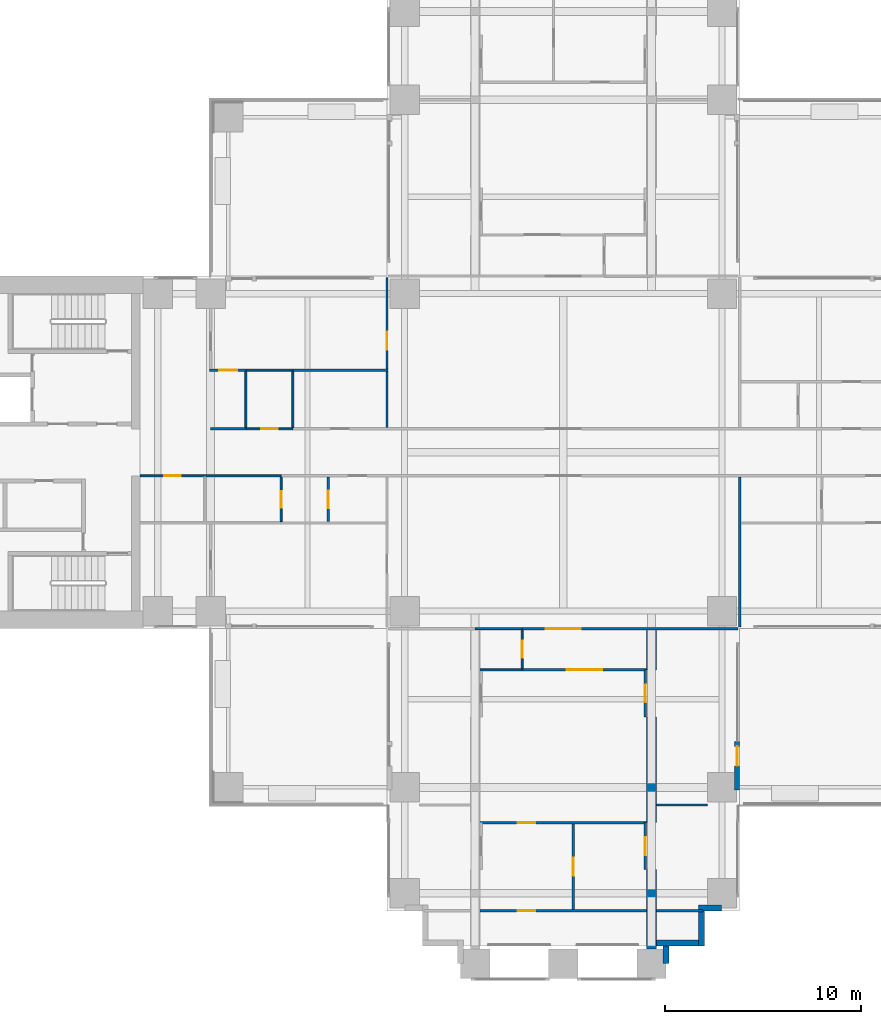
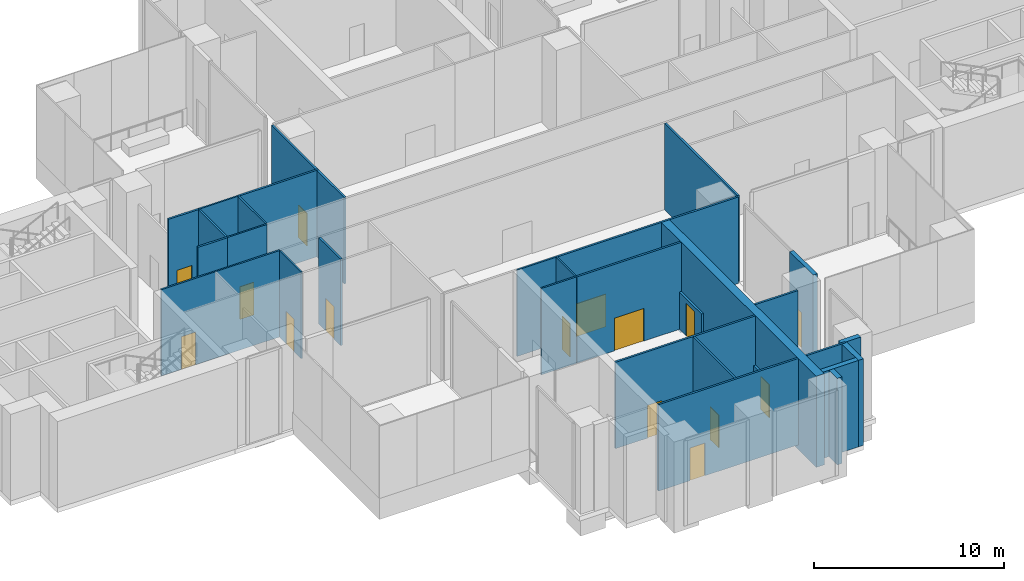
# One storey, part 9 of 17: 30 walls, 15 doors, 15 openings.
"""IFC4 building model written with IfcOpenShell, lengths in metres."""

from ifc_helpers import new_model, si_unit, direction, frame, frame_2d, origin, place, context, subcontext, project, spatial, polyline, rectangle, outline, extrude, material, layer, layer_set, material_profile, profile_set, type_object, element, fill, save


model = new_model("IFC4")

# Units and contexts
model_context = context("Model", 3, precision=1e-05, world=origin(), true_north=direction((0.0, 1.0)))
body_context = subcontext(model_context, "Body", "Model", "MODEL_VIEW")
ifc_project = project(units=[si_unit("LENGTHUNIT", "METRE"), si_unit("AREAUNIT", "SQUARE_METRE"), si_unit("VOLUMEUNIT", "CUBIC_METRE"), si_unit("PLANEANGLEUNIT", "RADIAN"), si_unit("MASSUNIT", "GRAM", prefix="KILO")], contexts=[model_context])

# Site, building, storey
site_placement = place(None, origin())
site = spatial("IfcSite", under=ifc_project, at=site_placement, CompositionType="ELEMENT")
building_placement = place(site_placement, origin())
building = spatial("IfcBuilding", under=site, at=building_placement, Name="Perihelion Cross Residences", CompositionType="ELEMENT")
storey_placement = place(building_placement, frame((0.0, 0.0, 21.0)))
storey = spatial("IfcBuildingStorey", under=building, at=storey_placement, Name="L02", CompositionType="ELEMENT", Elevation=21.0)

# Wall, opening, door
ifc_material_1 = material(Name="Concrete C30/37, bronze-clad", Category="concrete")
ifc_layer_1 = layer(ifc_material_1, 0.25)
ifc_layer_set_1 = layer_set([ifc_layer_1], Name="Bronze-clad pier wall 250")
wall_type_1 = type_object("IfcWallType", Name="Bronze-clad pier wall 250", PredefinedType="SOLIDWALL", material=ifc_layer_set_1)
wall_1_placement = place(storey_placement, frame((8.875, -17.22998046875, 0.0), z_axis=(0.0, 0.0, 1.0), x_axis=(0.0, 1.0, 0.0)))
wall_1 = element("IfcWall", 1, at=wall_1_placement, inside=storey, type_object=wall_type_1, Name="Wall FW1 L02 south side east bay 2 pier", PredefinedType="SOLIDWALL", context=body_context, shape_type="SweptSolid", body=[
    extrude(rectangle(XDim=2.47998046875, YDim=0.25, at=frame_2d((1.239990234375, 0.0))), origin(), (0.0, 0.0, 1.0), 5.550048828125),
])
opening_1_placement = place(wall_1_placement, frame((1.22998046875, 0.0, 0.0)))
opening_1 = element("IfcOpeningElement", 2, at=opening_1_placement, cuts=wall_1, Name="Opening L02.E07", PredefinedType="OPENING", context=body_context, shape_type="SweptSolid", body=[
    extrude(rectangle(XDim=1.0, YDim=2.39990234375, at=frame_2d((0.5, 1.199951171875))), frame((0.0, 0.135009765625, 0.0), z_axis=(0.0, -1.0, 0.0), x_axis=(1.0, 0.0, 0.0)), (0.0, 0.0, 1.0), 0.27001953125),
])
ifc_material_2 = material(Name="Bronze anodised aluminium, glazed", Category="aluminium")
door_type_1 = type_object("IfcDoorType", Name="Balcony door 1000 x 2400", OperationType="NOTDEFINED", PredefinedType="DOOR", material=ifc_material_2)
door_1_placement = place(opening_1_placement, origin())
door_1 = element("IfcDoor", 3, at=door_1_placement, inside=storey, type_object=door_type_1, Name="Door L02.E07 south side east bay 2", OperationType="SINGLE_SWING_RIGHT", OverallHeight=2.39990234375, OverallWidth=1.0, PredefinedType="DOOR", context=body_context, shape_type="SweptSolid", body=[
    extrude(rectangle(XDim=1.0, YDim=2.39990234375, at=frame_2d((0.5, 1.199951171875))), frame((0.0, 0.02490234375, 0.0), z_axis=(0.0, -1.0, 0.0), x_axis=(1.0, 0.0, 0.0)), (0.0, 0.0, 1.0), 0.050048828125),
])
fill(opening_1, door_1)

# Walls
ifc_material_3 = material(Name="Concrete C30/37, bronze-clad", Category="concrete")
ifc_layer_2 = layer(ifc_material_3, 0.300048828125)
ifc_layer_set_2 = layer_set([ifc_layer_2], Name="Bronze-clad serration wall 300")
wall_type_2 = type_object("IfcWallType", Name="Bronze-clad serration wall 300", PredefinedType="SOLIDWALL", material=ifc_layer_set_2)
wall_2_placement = place(storey_placement, frame((5.25, -26.080078125, 0.0), z_axis=(0.0, 0.0, 1.0), x_axis=(0.0, 1.0, 0.0)))
element("IfcWall", 4, at=wall_2_placement, inside=storey, type_object=wall_type_2, Name="Wall SR1 L02 south corner south-east 1", PredefinedType="SOLIDWALL", context=body_context, shape_type="SweptSolid", body=[
    extrude(rectangle(XDim=0.880126953125, YDim=0.300048828125, at=frame_2d((0.43994140625, 0.0))), origin(), (0.0, 0.0, 1.0), 5.550048828125),
])
wall_3_placement = place(storey_placement, frame((4.75, -25.050048828125, 0.0), z_axis=(0.0, 0.0, 1.0), x_axis=(1.0, 0.0, 0.0)))
element("IfcWall", 5, at=wall_3_placement, inside=storey, type_object=wall_type_2, Name="Wall SR1 L02 south corner south-east 2", PredefinedType="SOLIDWALL", context=body_context, shape_type="SweptSolid", body=[
    extrude(rectangle(XDim=2.14990234375, YDim=0.300048828125, at=frame_2d((1.074951171875, 0.0))), origin(), (0.0, 0.0, 1.0), 5.550048828125),
])
wall_4_placement = place(storey_placement, frame((7.050048828125, -25.199951171875, 0.0), z_axis=(0.0, 0.0, 1.0), x_axis=(0.0, 1.0, 0.0)))
element("IfcWall", 6, at=wall_4_placement, inside=storey, type_object=wall_type_2, Name="Wall SR1 L02 south corner south-east 3", PredefinedType="SOLIDWALL", context=body_context, shape_type="SweptSolid", body=[
    extrude(rectangle(XDim=1.800048828125, YDim=0.300048828125, at=frame_2d((0.89990234375, 0.0))), origin(), (0.0, 0.0, 1.0), 5.550048828125),
])
wall_5_placement = place(storey_placement, frame((6.89990234375, -23.25, 0.0), z_axis=(0.0, 0.0, 1.0), x_axis=(1.0, 0.0, 0.0)))
element("IfcWall", 7, at=wall_5_placement, inside=storey, type_object=wall_type_2, Name="Wall SR1 L02 south corner south-east 4", PredefinedType="SOLIDWALL", context=body_context, shape_type="SweptSolid", body=[
    extrude(rectangle(XDim=1.18017578125, YDim=0.300048828125, at=frame_2d((0.590087890625, 0.0))), origin(), (0.0, 0.0, 1.0), 5.550048828125),
])

# Wall, opening, door
ifc_material_4 = material(Name="Plasterboard partition")
ifc_layer_3 = layer(ifc_material_4, 0.1201171875)
ifc_layer_set_3 = layer_set([ifc_layer_3], Name="Infill panel 120")
wall_type_3 = type_object("IfcWallType", Name="Infill panel 120", PredefinedType="PARTITIONING", material=ifc_layer_set_3)
wall_6_placement = place(storey_placement, frame((4.18994140625, -11.10009765625, 0.0), z_axis=(0.0, 0.0, 1.0), x_axis=(0.0, -1.0, 0.0)))
wall_6 = element("IfcWall", 8, at=wall_6_placement, inside=storey, type_object=wall_type_3, Name="Partition L02 WI05", PredefinedType="PARTITIONING", context=body_context, shape_type="SweptSolid", body=[
    extrude(rectangle(XDim=2.39990234375, YDim=0.1201171875, at=frame_2d((1.199951171875, 0.0))), origin(), (0.0, 0.0, 1.0), 2.39990234375),
])
opening_2_placement = place(wall_6_placement, frame((0.75, 0.0, 0.0)))
opening_2 = element("IfcOpeningElement", 9, at=opening_2_placement, cuts=wall_6, Name="Opening L02.A39", PredefinedType="OPENING", context=body_context, shape_type="SweptSolid", body=[
    extrude(rectangle(XDim=0.89990234375, YDim=2.10009765625, at=frame_2d((0.449951171875, 1.050048828125))), frame((0.0, 0.070068359375, 0.0), z_axis=(0.0, -1.0, 0.0), x_axis=(1.0, 0.0, 0.0)), (0.0, 0.0, 1.0), 0.14013671875),
])
ifc_material_5 = material(Name="Timber door leaf", Category="wood")
door_type_2 = type_object("IfcDoorType", Name="Interior room door 900 x 2100", OperationType="SINGLE_SWING_LEFT", PredefinedType="DOOR", material=ifc_material_5)
door_2_placement = place(opening_2_placement, origin())
door_2 = element("IfcDoor", 10, at=door_2_placement, inside=storey, type_object=door_type_2, Name="Door L02.A39", OperationType="SINGLE_SWING_RIGHT", OverallHeight=2.10009765625, OverallWidth=0.89990234375, PredefinedType="DOOR", context=body_context, shape_type="SweptSolid", body=[
    extrude(rectangle(XDim=0.89990234375, YDim=2.10009765625, at=frame_2d((0.449951171875, 1.050048828125))), frame((0.0, 0.02490234375, 0.0), z_axis=(0.0, -1.0, 0.0), x_axis=(1.0, 0.0, 0.0)), (0.0, 0.0, 1.0), 0.050048828125),
])
fill(opening_2, door_2)

wall_7_placement = place(storey_placement, frame((4.18994140625, -18.89990234375, 0.0), z_axis=(0.0, 0.0, 1.0), x_axis=(0.0, -1.0, 0.0)))
wall_7 = element("IfcWall", 11, at=wall_7_placement, inside=storey, type_object=wall_type_3, Name="Partition L02 WI06", PredefinedType="PARTITIONING", context=body_context, shape_type="SweptSolid", body=[
    extrude(rectangle(XDim=2.400146484375, YDim=0.1201171875, at=frame_2d((1.2001953125, 0.0))), origin(), (0.0, 0.0, 1.0), 2.39990234375),
])
opening_3_placement = place(wall_7_placement, frame((0.75, 0.0, 0.0)))
opening_3 = element("IfcOpeningElement", 12, at=opening_3_placement, cuts=wall_7, Name="Opening L02.A40", PredefinedType="OPENING", context=body_context, shape_type="SweptSolid", body=[
    extrude(rectangle(XDim=0.89990234375, YDim=2.10009765625, at=frame_2d((0.449951171875, 1.050048828125))), frame((0.0, 0.070068359375, 0.0), z_axis=(0.0, -1.0, 0.0), x_axis=(1.0, 0.0, 0.0)), (0.0, 0.0, 1.0), 0.14013671875),
])
door_3_placement = place(opening_3_placement, origin())
door_3 = element("IfcDoor", 13, at=door_3_placement, inside=storey, type_object=door_type_2, Name="Door L02.A40", OperationType="SINGLE_SWING_LEFT", OverallHeight=2.10009765625, OverallWidth=0.89990234375, PredefinedType="DOOR", context=body_context, shape_type="SweptSolid", body=[
    extrude(rectangle(XDim=0.89990234375, YDim=2.10009765625, at=frame_2d((0.449951171875, 1.050048828125))), frame((0.0, 0.02490234375, 0.0), z_axis=(0.0, -1.0, 0.0), x_axis=(1.0, 0.0, 0.0)), (0.0, 0.0, 1.0), 0.050048828125),
])
fill(opening_3, door_3)

# Wall
ifc_material_6 = material(Name="Plasterboard partition")
ifc_layer_4 = layer(ifc_material_6, 0.1201171875)
ifc_layer_set_4 = layer_set([ifc_layer_4], Name="Partition wall 120")
wall_type_4 = type_object("IfcWallType", Name="Partition wall 120", PredefinedType="PARTITIONING", material=ifc_layer_set_4)
wall_8_placement = place(storey_placement, frame((-18.0, 1.199951171875, 0.0), z_axis=(0.0, 0.0, 1.0), x_axis=(1.0, 0.0, 0.0)))
element("IfcWall", 14, at=wall_8_placement, inside=storey, type_object=wall_type_4, Name="Partition L02 W005", PredefinedType="PARTITIONING", context=body_context, shape_type="SweptSolid", body=[
    extrude(rectangle(XDim=1.800048828125, YDim=0.1201171875, at=frame_2d((0.89990234375, 0.0))), origin(), (0.0, 0.0, 1.0), 5.550048828125),
])

# Wall, opening, door
wall_9_placement = place(storey_placement, frame((-9.0, 1.260009765625, 0.0), z_axis=(0.0, 0.0, 1.0), x_axis=(0.0, 1.0, 0.0)))
wall_9 = element("IfcWall", 15, at=wall_9_placement, inside=storey, type_object=wall_type_4, Name="Partition L02 W008", PredefinedType="PARTITIONING", context=body_context, shape_type="SweptSolid", body=[
    extrude(rectangle(XDim=7.659912109375, YDim=0.1201171875, at=frame_2d((3.830078125, 0.0))), origin(), (0.0, 0.0, 1.0), 5.550048828125),
])
opening_4_placement = place(wall_9_placement, frame((3.989990234375, 0.0, 0.0)))
opening_4 = element("IfcOpeningElement", 16, at=opening_4_placement, cuts=wall_9, Name="Opening L02.A10", PredefinedType="OPENING", context=body_context, shape_type="SweptSolid", body=[
    extrude(rectangle(XDim=0.89990234375, YDim=2.10009765625, at=frame_2d((0.449951171875, 1.050048828125))), frame((0.0, 0.070068359375, 0.0), z_axis=(0.0, -1.0, 0.0), x_axis=(1.0, 0.0, 0.0)), (0.0, 0.0, 1.0), 0.14013671875),
])
door_4_placement = place(opening_4_placement, origin())
door_4 = element("IfcDoor", 17, at=door_4_placement, inside=storey, type_object=door_type_2, Name="Door L02.A10", OperationType="SINGLE_SWING_LEFT", OverallHeight=2.10009765625, OverallWidth=0.89990234375, PredefinedType="DOOR", context=body_context, shape_type="SweptSolid", body=[
    extrude(rectangle(XDim=0.89990234375, YDim=2.10009765625, at=frame_2d((0.449951171875, 1.050048828125))), frame((0.0, 0.02490234375, 0.0), z_axis=(0.0, -1.0, 0.0), x_axis=(1.0, 0.0, 0.0)), (0.0, 0.0, 1.0), 0.050048828125),
])
fill(opening_4, door_4)

# Wall
wall_10_placement = place(storey_placement, frame((9.0, -1.260009765625, 0.0), z_axis=(0.0, 0.0, 1.0), x_axis=(0.0, -1.0, 0.0)))
element("IfcWall", 18, at=wall_10_placement, inside=storey, type_object=wall_type_4, Name="Partition L02 W012", PredefinedType="PARTITIONING", context=body_context, shape_type="SweptSolid", body=[
    extrude(rectangle(XDim=7.659912109375, YDim=0.1201171875, at=frame_2d((3.830078125, 0.0))), origin(), (0.0, 0.0, 1.0), 5.550048828125),
])

# Wall, opening, door
wall_11_placement = place(storey_placement, frame((8.919921875, -9.0, 0.0), z_axis=(0.0, 0.0, 1.0), x_axis=(-1.0, 0.0, 0.0)))
wall_11 = element("IfcWall", 19, at=wall_11_placement, inside=storey, type_object=wall_type_4, Name="Partition L02 W014", PredefinedType="PARTITIONING", context=body_context, shape_type="SweptSolid", body=[
    extrude(rectangle(XDim=11.02001953125, YDim=0.1201171875, at=frame_2d((5.510009765625, 0.0))), origin(), (0.0, 0.0, 1.0), 5.550048828125),
])
opening_5_placement = place(wall_11_placement, frame((8.02001953125, 0.0, 0.0)))
opening_5 = element("IfcOpeningElement", 20, at=opening_5_placement, cuts=wall_11, Name="Opening L02.A29", PredefinedType="OPENING", context=body_context, shape_type="SweptSolid", body=[
    extrude(rectangle(XDim=1.800048828125, YDim=2.10009765625, at=frame_2d((0.89990234375, 1.050048828125))), frame((0.0, 0.070068359375, 0.0), z_axis=(0.0, -1.0, 0.0), x_axis=(1.0, 0.0, 0.0)), (0.0, 0.0, 1.0), 0.14013671875),
])
ifc_material_7 = material(Name="Glazed timber door leaf", Category="wood")
door_type_3 = type_object("IfcDoorType", Name="Interior double leaf door 1800 x 2100", OperationType="DOUBLE_DOOR_SINGLE_SWING", PredefinedType="DOOR", material=ifc_material_7)
door_5_placement = place(opening_5_placement, origin())
door_5 = element("IfcDoor", 21, at=door_5_placement, inside=storey, type_object=door_type_3, Name="Door L02.A29", OperationType="SINGLE_SWING_LEFT", OverallHeight=2.10009765625, OverallWidth=1.800048828125, PredefinedType="DOOR", context=body_context, shape_type="SweptSolid", body=[
    extrude(rectangle(XDim=1.800048828125, YDim=2.10009765625, at=frame_2d((0.89990234375, 1.050048828125))), frame((0.0, 0.02490234375, 0.0), z_axis=(0.0, -1.0, 0.0), x_axis=(1.0, 0.0, 0.0)), (0.0, 0.0, 1.0), 0.050048828125),
])
fill(opening_5, door_5)

# Wall
wall_12_placement = place(storey_placement, frame((-8.93994140625, 4.199951171875, 0.0), z_axis=(0.0, 0.0, 1.0), x_axis=(-1.0, 0.0, 0.0)))
element("IfcWall", 22, at=wall_12_placement, inside=storey, type_object=wall_type_4, Name="Partition L02 W026", PredefinedType="PARTITIONING", context=body_context, shape_type="SweptSolid", body=[
    extrude(rectangle(XDim=4.860107421875, YDim=0.1201171875, at=frame_2d((2.43017578125, 0.0))), origin(), (0.0, 0.0, 1.0), 5.550048828125),
])

# Wall, opening, door
wall_13_placement = place(storey_placement, frame((-16.199951171875, 4.199951171875, 0.0), z_axis=(0.0, 0.0, 1.0), x_axis=(-1.0, 0.0, 0.0)))
wall_13 = element("IfcWall", 23, at=wall_13_placement, inside=storey, type_object=wall_type_4, Name="Partition L02 W028", PredefinedType="PARTITIONING", context=body_context, shape_type="SweptSolid", body=[
    extrude(rectangle(XDim=1.860107421875, YDim=0.1201171875, at=frame_2d((0.93017578125, 0.0))), origin(), (0.0, 0.0, 1.0), 5.550048828125),
])
opening_6_placement = place(wall_13_placement, frame((0.449951171875, 0.0, 0.0)))
opening_6 = element("IfcOpeningElement", 24, at=opening_6_placement, cuts=wall_13, Name="Opening L02.A11", PredefinedType="OPENING", context=body_context, shape_type="SweptSolid", body=[
    extrude(rectangle(XDim=0.89990234375, YDim=2.10009765625, at=frame_2d((0.449951171875, 1.050048828125))), frame((0.0, 0.070068359375, 0.0), z_axis=(0.0, -1.0, 0.0), x_axis=(1.0, 0.0, 0.0)), (0.0, 0.0, 1.0), 0.14013671875),
])
door_6_placement = place(opening_6_placement, origin())
door_6 = element("IfcDoor", 25, at=door_6_placement, inside=storey, type_object=door_type_2, Name="Door L02.A11", OperationType="SINGLE_SWING_LEFT", OverallHeight=2.10009765625, OverallWidth=0.89990234375, PredefinedType="DOOR", context=body_context, shape_type="SweptSolid", body=[
    extrude(rectangle(XDim=0.89990234375, YDim=2.10009765625, at=frame_2d((0.449951171875, 1.050048828125))), frame((0.0, 0.02490234375, 0.0), z_axis=(0.0, -1.0, 0.0), x_axis=(1.0, 0.0, 0.0)), (0.0, 0.0, 1.0), 0.050048828125),
])
fill(opening_6, door_6)

wall_14_placement = place(storey_placement, frame((-12.0, -3.5400390625, 0.0), z_axis=(0.0, 0.0, 1.0), x_axis=(0.0, 1.0, 0.0)))
wall_14 = element("IfcWall", 26, at=wall_14_placement, inside=storey, type_object=wall_type_4, Name="Partition L02 W034", PredefinedType="PARTITIONING", context=body_context, shape_type="SweptSolid", body=[
    extrude(rectangle(XDim=2.280029296875, YDim=0.1201171875, at=frame_2d((1.14013671875, 0.0))), origin(), (0.0, 0.0, 1.0), 5.550048828125),
])
opening_7_placement = place(wall_14_placement, frame((0.68994140625, 0.0, 0.0)))
opening_7 = element("IfcOpeningElement", 27, at=opening_7_placement, cuts=wall_14, Name="Opening L02.A20", PredefinedType="OPENING", context=body_context, shape_type="SweptSolid", body=[
    extrude(rectangle(XDim=0.89990234375, YDim=2.10009765625, at=frame_2d((0.449951171875, 1.050048828125))), frame((0.0, 0.070068359375, 0.0), z_axis=(0.0, -1.0, 0.0), x_axis=(1.0, 0.0, 0.0)), (0.0, 0.0, 1.0), 0.14013671875),
])
door_7_placement = place(opening_7_placement, origin())
door_7 = element("IfcDoor", 28, at=door_7_placement, inside=storey, type_object=door_type_2, Name="Door L02.A20", OperationType="SINGLE_SWING_LEFT", OverallHeight=2.10009765625, OverallWidth=0.89990234375, PredefinedType="DOOR", context=body_context, shape_type="SweptSolid", body=[
    extrude(rectangle(XDim=0.89990234375, YDim=2.10009765625, at=frame_2d((0.449951171875, 1.050048828125))), frame((0.0, 0.02490234375, 0.0), z_axis=(0.0, -1.0, 0.0), x_axis=(1.0, 0.0, 0.0)), (0.0, 0.0, 1.0), 0.050048828125),
])
fill(opening_7, door_7)

wall_15_placement = place(storey_placement, frame((4.25, -11.10009765625, 0.0), z_axis=(0.0, 0.0, 1.0), x_axis=(-1.0, 0.0, 0.0)))
wall_15 = element("IfcWall", 29, at=wall_15_placement, inside=storey, type_object=wall_type_4, Name="Partition L02 W048", PredefinedType="PARTITIONING", context=body_context, shape_type="SweptSolid", body=[
    extrude(rectangle(XDim=6.35009765625, YDim=0.1201171875, at=frame_2d((3.175048828125, 0.0))), origin(), (0.0, 0.0, 1.0), 5.550048828125),
])
opening_8_placement = place(wall_15_placement, frame((2.27490234375, 0.0, 0.0)))
opening_8 = element("IfcOpeningElement", 30, at=opening_8_placement, cuts=wall_15, Name="Opening L02.A31", PredefinedType="OPENING", context=body_context, shape_type="SweptSolid", body=[
    extrude(rectangle(XDim=1.800048828125, YDim=2.10009765625, at=frame_2d((0.89990234375, 1.050048828125))), frame((0.0, 0.070068359375, 0.0), z_axis=(0.0, -1.0, 0.0), x_axis=(1.0, 0.0, 0.0)), (0.0, 0.0, 1.0), 0.14013671875),
])
door_8_placement = place(opening_8_placement, origin())
door_8 = element("IfcDoor", 31, at=door_8_placement, inside=storey, type_object=door_type_3, Name="Door L02.A31", OperationType="SINGLE_SWING_LEFT", OverallHeight=2.10009765625, OverallWidth=1.800048828125, PredefinedType="DOOR", context=body_context, shape_type="SweptSolid", body=[
    extrude(rectangle(XDim=1.800048828125, YDim=2.10009765625, at=frame_2d((0.89990234375, 1.050048828125))), frame((0.0, 0.02490234375, 0.0), z_axis=(0.0, -1.0, 0.0), x_axis=(1.0, 0.0, 0.0)), (0.0, 0.0, 1.0), 0.050048828125),
])
fill(opening_8, door_8)

wall_16_placement = place(storey_placement, frame((4.25, -18.89990234375, 0.0), z_axis=(0.0, 0.0, 1.0), x_axis=(-1.0, 0.0, 0.0)))
wall_16 = element("IfcWall", 32, at=wall_16_placement, inside=storey, type_object=wall_type_4, Name="Partition L02 W050", PredefinedType="PARTITIONING", context=body_context, shape_type="SweptSolid", body=[
    extrude(rectangle(XDim=8.5, YDim=0.1201171875, at=frame_2d((4.25, 0.0))), origin(), (0.0, 0.0, 1.0), 5.550048828125),
])
opening_9_placement = place(wall_16_placement, frame((5.675048828125, 0.0, 0.0)))
opening_9 = element("IfcOpeningElement", 33, at=opening_9_placement, cuts=wall_16, Name="Opening L02.A32", PredefinedType="OPENING", context=body_context, shape_type="SweptSolid", body=[
    extrude(rectangle(XDim=0.89990234375, YDim=2.10009765625, at=frame_2d((0.449951171875, 1.050048828125))), frame((0.0, 0.070068359375, 0.0), z_axis=(0.0, -1.0, 0.0), x_axis=(1.0, 0.0, 0.0)), (0.0, 0.0, 1.0), 0.14013671875),
])
door_9_placement = place(opening_9_placement, origin())
door_9 = element("IfcDoor", 34, at=door_9_placement, inside=storey, type_object=door_type_2, Name="Door L02.A32", OperationType="SINGLE_SWING_LEFT", OverallHeight=2.10009765625, OverallWidth=0.89990234375, PredefinedType="DOOR", context=body_context, shape_type="SweptSolid", body=[
    extrude(rectangle(XDim=0.89990234375, YDim=2.10009765625, at=frame_2d((0.449951171875, 1.050048828125))), frame((0.0, 0.02490234375, 0.0), z_axis=(0.0, -1.0, 0.0), x_axis=(1.0, 0.0, 0.0)), (0.0, 0.0, 1.0), 0.050048828125),
])
fill(opening_9, door_9)

wall_17_placement = place(storey_placement, frame((0.5, -18.9599609375, 0.0), z_axis=(0.0, 0.0, 1.0), x_axis=(0.0, -1.0, 0.0)))
wall_17 = element("IfcWall", 35, at=wall_17_placement, inside=storey, type_object=wall_type_4, Name="Partition L02 W051", PredefinedType="PARTITIONING", context=body_context, shape_type="SweptSolid", body=[
    extrude(rectangle(XDim=4.380126953125, YDim=0.1201171875, at=frame_2d((2.18994140625, 0.0))), origin(), (0.0, 0.0, 1.0), 5.550048828125),
])
opening_10_placement = place(wall_17_placement, frame((1.739990234375, 0.0, 0.0)))
opening_10 = element("IfcOpeningElement", 36, at=opening_10_placement, cuts=wall_17, Name="Opening L02.A33", PredefinedType="OPENING", context=body_context, shape_type="SweptSolid", body=[
    extrude(rectangle(XDim=0.89990234375, YDim=2.10009765625, at=frame_2d((0.449951171875, 1.050048828125))), frame((0.0, 0.070068359375, 0.0), z_axis=(0.0, -1.0, 0.0), x_axis=(1.0, 0.0, 0.0)), (0.0, 0.0, 1.0), 0.14013671875),
])
door_10_placement = place(opening_10_placement, origin())
door_10 = element("IfcDoor", 37, at=door_10_placement, inside=storey, type_object=door_type_2, Name="Door L02.A33", OperationType="SINGLE_SWING_LEFT", OverallHeight=2.10009765625, OverallWidth=0.89990234375, PredefinedType="DOOR", context=body_context, shape_type="SweptSolid", body=[
    extrude(rectangle(XDim=0.89990234375, YDim=2.10009765625, at=frame_2d((0.449951171875, 1.050048828125))), frame((0.0, 0.02490234375, 0.0), z_axis=(0.0, -1.0, 0.0), x_axis=(1.0, 0.0, 0.0)), (0.0, 0.0, 1.0), 0.050048828125),
])
fill(opening_10, door_10)

wall_18_placement = place(storey_placement, frame((4.25, -23.39990234375, 0.0), z_axis=(0.0, 0.0, 1.0), x_axis=(-1.0, 0.0, 0.0)))
wall_18 = element("IfcWall", 38, at=wall_18_placement, inside=storey, type_object=wall_type_4, Name="Partition L02 W052", PredefinedType="PARTITIONING", context=body_context, shape_type="SweptSolid", body=[
    extrude(rectangle(XDim=8.5, YDim=0.1201171875, at=frame_2d((4.25, 0.0))), origin(), (0.0, 0.0, 1.0), 5.550048828125),
])
opening_11_placement = place(wall_18_placement, frame((5.675048828125, 0.0, 0.0)))
opening_11 = element("IfcOpeningElement", 39, at=opening_11_placement, cuts=wall_18, Name="Opening L02.A34", PredefinedType="OPENING", context=body_context, shape_type="SweptSolid", body=[
    extrude(rectangle(XDim=0.89990234375, YDim=2.10009765625, at=frame_2d((0.449951171875, 1.050048828125))), frame((0.0, 0.070068359375, 0.0), z_axis=(0.0, -1.0, 0.0), x_axis=(1.0, 0.0, 0.0)), (0.0, 0.0, 1.0), 0.14013671875),
])
door_11_placement = place(opening_11_placement, origin())
door_11 = element("IfcDoor", 40, at=door_11_placement, inside=storey, type_object=door_type_2, Name="Door L02.A34", OperationType="SINGLE_SWING_RIGHT", OverallHeight=2.10009765625, OverallWidth=0.89990234375, PredefinedType="DOOR", context=body_context, shape_type="SweptSolid", body=[
    extrude(rectangle(XDim=0.89990234375, YDim=2.10009765625, at=frame_2d((0.449951171875, 1.050048828125))), frame((0.0, 0.02490234375, 0.0), z_axis=(0.0, -1.0, 0.0), x_axis=(1.0, 0.0, 0.0)), (0.0, 0.0, 1.0), 0.050048828125),
])
fill(opening_11, door_11)

# Walls
wall_19_placement = place(storey_placement, frame((7.35009765625, -18.0, 0.0), z_axis=(0.0, 0.0, 1.0), x_axis=(-1.0, 0.0, 0.0)))
element("IfcWall", 41, at=wall_19_placement, inside=storey, type_object=wall_type_4, Name="Partition L02 W053", PredefinedType="PARTITIONING", context=body_context, shape_type="SweptSolid", body=[
    extrude(rectangle(XDim=2.60009765625, YDim=0.1201171875, at=frame_2d((1.300048828125, 0.0))), origin(), (0.0, 0.0, 1.0), 5.550048828125),
])
wall_20_placement = place(storey_placement, frame((7.1201171875, -23.39990234375, 0.0), z_axis=(0.0, 0.0, 1.0), x_axis=(-1.0, 0.0, 0.0)))
element("IfcWall", 42, at=wall_20_placement, inside=storey, type_object=wall_type_4, Name="Partition L02 W054", PredefinedType="PARTITIONING", context=body_context, shape_type="SweptSolid", body=[
    extrude(rectangle(XDim=2.3701171875, YDim=0.1201171875, at=frame_2d((1.18505859375, 0.0))), origin(), (0.0, 0.0, 1.0), 5.550048828125),
])
ifc_material_8 = material(Name="Concrete C60/75", Category="concrete")
ifc_material_profile = material_profile(ifc_material_8, outline(polyline([(0.0, 0.0), (4.050048828125, 0.0), (4.050048828125, 2.699951171875), (6.449951171875, 2.699951171875), (6.449951171875, 0.0), (11.85009765625, 0.0), (11.85009765625, 2.699951171875), (14.25, 2.699951171875), (14.25, 0.0), (16.35009765625, 0.0), (16.35009765625, 5.85009765625), (0.0, 5.85009765625), (0.0, 0.0)])), Name="Tip spine wall")
ifc_profile_set = profile_set([ifc_material_profile], Name="Concrete C60/75")
wall_type_5 = type_object("IfcWallType", Name="Tip spine wall 500 with 2 door openings 16350 long 5850 high concrete C60/75 hand A", PredefinedType="SHEAR", material=ifc_profile_set)
wall_21_placement = place(storey_placement, frame((4.25, -25.35009765625, -0.300048828125), z_axis=(1.0, 0.0, 0.0), x_axis=(0.0, 1.0, 0.0)))
element("IfcWall", 43, at=wall_21_placement, inside=storey, type_object=wall_type_5, Name="Shear wall SW15 L02 south east", PredefinedType="SHEAR", context=body_context, shape_type="SweptSolid", body=[
    extrude(outline(polyline([(0.0, 0.0), (4.050048828125, 0.0), (4.050048828125, 2.699951171875), (6.449951171875, 2.699951171875), (6.449951171875, 0.0), (11.85009765625, 0.0), (11.85009765625, 2.699951171875), (14.25, 2.699951171875), (14.25, 0.0), (16.35009765625, 0.0), (16.35009765625, 5.85009765625), (0.0, 5.85009765625), (0.0, 0.0)])), origin(), (0.0, 0.0, 1.0), 0.5),
])

# Wall, opening, door
ifc_material_9 = material(Name="Plasterboard partition")
ifc_layer_5 = layer(ifc_material_9, 0.10009765625)
ifc_layer_set_5 = layer_set([ifc_layer_5], Name="Wet room wall 100")
wall_type_6 = type_object("IfcWallType", Name="Wet room wall 100", PredefinedType="PARTITIONING", material=ifc_layer_set_5)
wall_22_placement = place(storey_placement, frame((-16.199951171875, 1.199951171875, 0.0), z_axis=(0.0, 0.0, 1.0), x_axis=(1.0, 0.0, 0.0)))
wall_22 = element("IfcWall", 44, at=wall_22_placement, inside=storey, type_object=wall_type_6, Name="Partition L02 W004", PredefinedType="PARTITIONING", context=body_context, shape_type="SweptSolid", body=[
    extrude(rectangle(XDim=2.39990234375, YDim=0.10009765625, at=frame_2d((1.199951171875, 0.0))), origin(), (0.0, 0.0, 1.0), 5.550048828125),
])
opening_12_placement = place(wall_22_placement, frame((0.77490234375, 0.0, 0.0)))
opening_12 = element("IfcOpeningElement", 45, at=opening_12_placement, cuts=wall_22, Name="Opening L02.A07", PredefinedType="OPENING", context=body_context, shape_type="SweptSolid", body=[
    extrude(rectangle(XDim=0.85009765625, YDim=2.10009765625, at=frame_2d((0.425048828125, 1.050048828125))), frame((0.0, 0.06005859375, 0.0), z_axis=(0.0, -1.0, 0.0), x_axis=(1.0, 0.0, 0.0)), (0.0, 0.0, 1.0), 0.1201171875),
])
ifc_material_10 = material(Name="Timber door leaf", Category="wood")
door_type_4 = type_object("IfcDoorType", Name="Interior bathroom door 850 x 2100", OperationType="SINGLE_SWING_LEFT", PredefinedType="DOOR", material=ifc_material_10)
door_12_placement = place(opening_12_placement, origin())
door_12 = element("IfcDoor", 46, at=door_12_placement, inside=storey, type_object=door_type_4, Name="Door L02.A07", OperationType="SINGLE_SWING_LEFT", OverallHeight=2.10009765625, OverallWidth=0.85009765625, PredefinedType="DOOR", context=body_context, shape_type="SweptSolid", body=[
    extrude(rectangle(XDim=0.85009765625, YDim=2.10009765625, at=frame_2d((0.425048828125, 1.050048828125))), frame((0.0, 0.02490234375, 0.0), z_axis=(0.0, -1.0, 0.0), x_axis=(1.0, 0.0, 0.0)), (0.0, 0.0, 1.0), 0.050048828125),
])
fill(opening_12, door_12)

wall_23_placement = place(storey_placement, frame((-14.39990234375, -1.199951171875, 0.0), z_axis=(0.0, 0.0, 1.0), x_axis=(-1.0, 0.0, 0.0)))
wall_23 = element("IfcWall", 47, at=wall_23_placement, inside=storey, type_object=wall_type_6, Name="Partition L02 W006", PredefinedType="PARTITIONING", context=body_context, shape_type="SweptSolid", body=[
    extrude(rectangle(XDim=7.2001953125, YDim=0.10009765625, at=frame_2d((3.60009765625, 0.0))), origin(), (0.0, 0.0, 1.0), 5.550048828125),
])
opening_13_placement = place(wall_23_placement, frame((5.125, 0.0, 0.0)))
opening_13 = element("IfcOpeningElement", 48, at=opening_13_placement, cuts=wall_23, Name="Opening L02.A09", PredefinedType="OPENING", context=body_context, shape_type="SweptSolid", body=[
    extrude(rectangle(XDim=0.85009765625, YDim=2.10009765625, at=frame_2d((0.425048828125, 1.050048828125))), frame((0.0, 0.06005859375, 0.0), z_axis=(0.0, -1.0, 0.0), x_axis=(1.0, 0.0, 0.0)), (0.0, 0.0, 1.0), 0.1201171875),
])
door_13_placement = place(opening_13_placement, origin())
door_13 = element("IfcDoor", 49, at=door_13_placement, inside=storey, type_object=door_type_4, Name="Door L02.A09", OperationType="SINGLE_SWING_RIGHT", OverallHeight=2.10009765625, OverallWidth=0.85009765625, PredefinedType="DOOR", context=body_context, shape_type="SweptSolid", body=[
    extrude(rectangle(XDim=0.85009765625, YDim=2.10009765625, at=frame_2d((0.425048828125, 1.050048828125))), frame((0.0, 0.02490234375, 0.0), z_axis=(0.0, -1.0, 0.0), x_axis=(1.0, 0.0, 0.0)), (0.0, 0.0, 1.0), 0.050048828125),
])
fill(opening_13, door_13)

# Walls
for number, where, z_axis, x_axis, name in (
    (50, (-2.10009765625, -9.0, 0.0), (0.0, 0.0, 1.0), (-1.0, 0.0, 0.0), "Partition L02 W015"),
    (51, (-13.800048828125, 4.199951171875, 0.0), (0.0, 0.0, 1.0), (-1.0, 0.0, 0.0), "Partition L02 W027"),
):
    element("IfcWall", number, at=place(storey_placement, frame(where, z_axis=z_axis, x_axis=x_axis)), inside=storey, type_object=wall_type_6, Name=name, PredefinedType="PARTITIONING", context=body_context, shape_type="SweptSolid", body=[
        extrude(rectangle(XDim=2.39990234375, YDim=0.10009765625, at=frame_2d((1.199951171875, 0.0))), origin(), (0.0, 0.0, 1.0), 5.550048828125),
    ])
for number, where, z_axis, x_axis, name in (
    (52, (-13.800048828125, 1.260009765625, 0.0), (0.0, 0.0, 1.0), (0.0, 1.0, 0.0), "Partition L02 W029"),
    (53, (-16.199951171875, 1.260009765625, 0.0), (0.0, 0.0, 1.0), (0.0, 1.0, 0.0), "Partition L02 W030"),
):
    element("IfcWall", number, at=place(storey_placement, frame(where, z_axis=z_axis, x_axis=x_axis)), inside=storey, type_object=wall_type_6, Name=name, PredefinedType="PARTITIONING", context=body_context, shape_type="SweptSolid", body=[
        extrude(rectangle(XDim=2.8798828125, YDim=0.10009765625, at=frame_2d((1.43994140625, 0.0))), origin(), (0.0, 0.0, 1.0), 5.550048828125),
    ])

# Wall, opening, door
wall_24_placement = place(storey_placement, frame((-14.39990234375, -3.5400390625, 0.0), z_axis=(0.0, 0.0, 1.0), x_axis=(0.0, 1.0, 0.0)))
wall_24 = element("IfcWall", 54, at=wall_24_placement, inside=storey, type_object=wall_type_6, Name="Partition L02 W035", PredefinedType="PARTITIONING", context=body_context, shape_type="SweptSolid", body=[
    extrude(rectangle(XDim=2.280029296875, YDim=0.10009765625, at=frame_2d((1.14013671875, 0.0))), origin(), (0.0, 0.0, 1.0), 5.550048828125),
])
opening_14_placement = place(wall_24_placement, frame((0.715087890625, 0.0, 0.0)))
opening_14 = element("IfcOpeningElement", 55, at=opening_14_placement, cuts=wall_24, Name="Opening L02.A21", PredefinedType="OPENING", context=body_context, shape_type="SweptSolid", body=[
    extrude(rectangle(XDim=0.85009765625, YDim=2.10009765625, at=frame_2d((0.425048828125, 1.050048828125))), frame((0.0, 0.06005859375, 0.0), z_axis=(0.0, -1.0, 0.0), x_axis=(1.0, 0.0, 0.0)), (0.0, 0.0, 1.0), 0.1201171875),
])
door_14_placement = place(opening_14_placement, origin())
door_14 = element("IfcDoor", 56, at=door_14_placement, inside=storey, type_object=door_type_4, Name="Door L02.A21", OperationType="SINGLE_SWING_RIGHT", OverallHeight=2.10009765625, OverallWidth=0.85009765625, PredefinedType="DOOR", context=body_context, shape_type="SweptSolid", body=[
    extrude(rectangle(XDim=0.85009765625, YDim=2.10009765625, at=frame_2d((0.425048828125, 1.050048828125))), frame((0.0, 0.02490234375, 0.0), z_axis=(0.0, -1.0, 0.0), x_axis=(1.0, 0.0, 0.0)), (0.0, 0.0, 1.0), 0.050048828125),
])
fill(opening_14, door_14)

wall_25_placement = place(storey_placement, frame((-2.10009765625, -11.0400390625, 0.0), z_axis=(0.0, 0.0, 1.0), x_axis=(0.0, 1.0, 0.0)))
wall_25 = element("IfcWall", 57, at=wall_25_placement, inside=storey, type_object=wall_type_6, Name="Partition L02 W047", PredefinedType="PARTITIONING", context=body_context, shape_type="SweptSolid", body=[
    extrude(rectangle(XDim=1.97998046875, YDim=0.10009765625, at=frame_2d((0.989990234375, 0.0))), origin(), (0.0, 0.0, 1.0), 5.550048828125),
])
opening_15_placement = place(wall_25_placement, frame((0.56494140625, 0.0, 0.0)))
opening_15 = element("IfcOpeningElement", 58, at=opening_15_placement, cuts=wall_25, Name="Opening L02.A30", PredefinedType="OPENING", context=body_context, shape_type="SweptSolid", body=[
    extrude(rectangle(XDim=0.85009765625, YDim=2.10009765625, at=frame_2d((0.425048828125, 1.050048828125))), frame((0.0, 0.06005859375, 0.0), z_axis=(0.0, -1.0, 0.0), x_axis=(1.0, 0.0, 0.0)), (0.0, 0.0, 1.0), 0.1201171875),
])
door_15_placement = place(opening_15_placement, origin())
door_15 = element("IfcDoor", 59, at=door_15_placement, inside=storey, type_object=door_type_4, Name="Door L02.A30", OperationType="SINGLE_SWING_RIGHT", OverallHeight=2.10009765625, OverallWidth=0.85009765625, PredefinedType="DOOR", context=body_context, shape_type="SweptSolid", body=[
    extrude(rectangle(XDim=0.85009765625, YDim=2.10009765625, at=frame_2d((0.425048828125, 1.050048828125))), frame((0.0, 0.02490234375, 0.0), z_axis=(0.0, -1.0, 0.0), x_axis=(1.0, 0.0, 0.0)), (0.0, 0.0, 1.0), 0.050048828125),
])
fill(opening_15, door_15)

# Wall
wall_26_placement = place(storey_placement, frame((-2.10009765625, -11.10009765625, 0.0), z_axis=(0.0, 0.0, 1.0), x_axis=(-1.0, 0.0, 0.0)))
element("IfcWall", 60, at=wall_26_placement, inside=storey, type_object=wall_type_6, Name="Partition L02 W049", PredefinedType="PARTITIONING", context=body_context, shape_type="SweptSolid", body=[
    extrude(rectangle(XDim=2.14990234375, YDim=0.10009765625, at=frame_2d((1.074951171875, 0.0))), origin(), (0.0, 0.0, 1.0), 5.550048828125),
])

save(model, "model.ifc")
